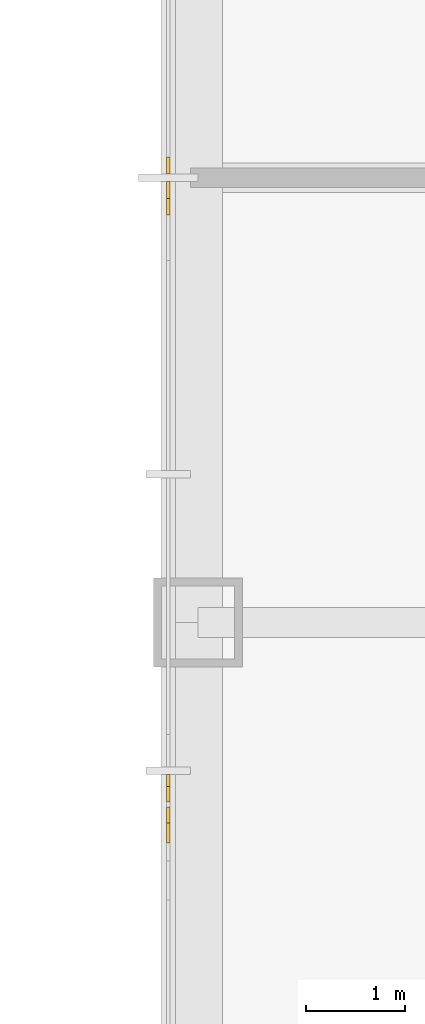
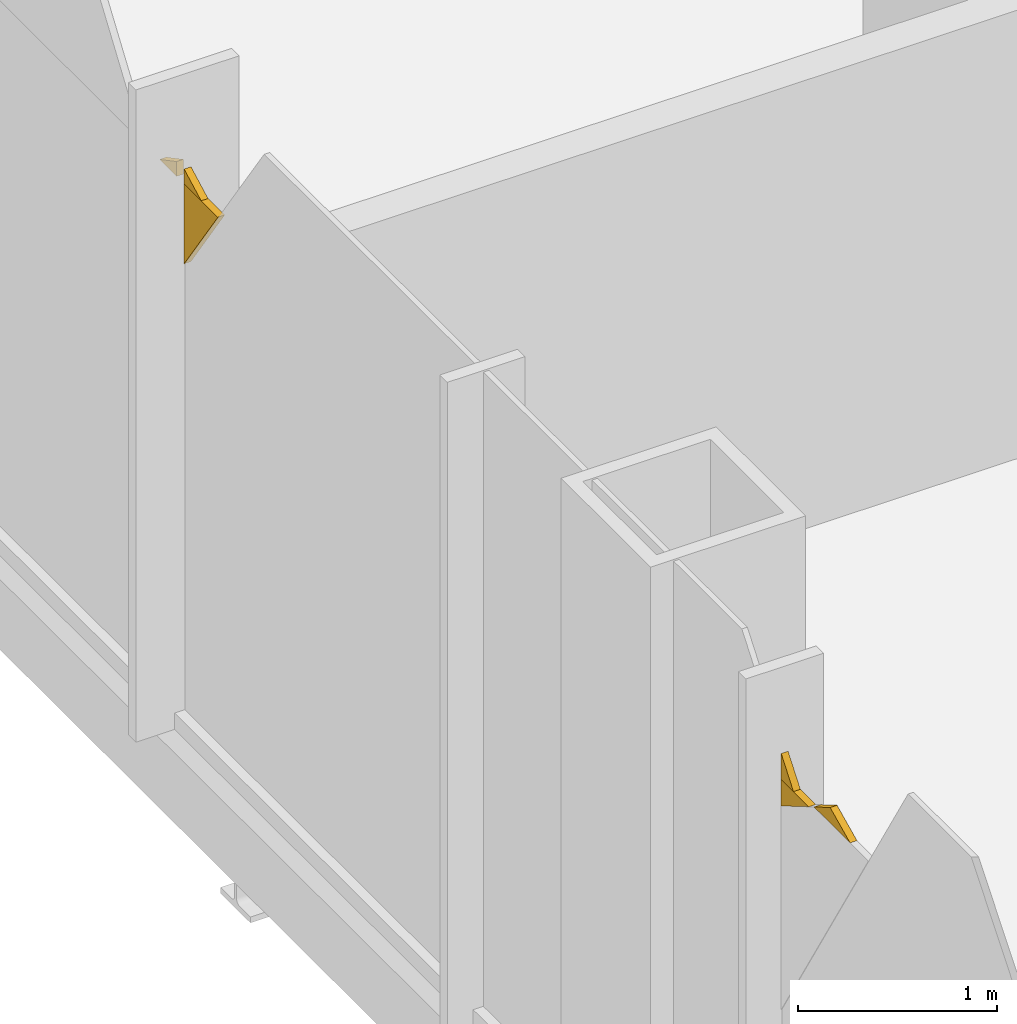
# One storey, part 17 of 23: 6 coverings.
"""IFC4 building model written with IfcOpenShell, lengths in metres."""

from ifc_helpers import new_model, si_unit, direction, frame, origin, place, context, subcontext, project, spatial, polyline, outline, extrude, material, layer, layer_set, type_object, element, save


model = new_model("IFC4")

# Units and contexts
model_context = context("Model", 3, precision=1e-05, world=origin(), true_north=direction((0.0, 1.0)))
body_context = subcontext(model_context, "Body", "Model", "MODEL_VIEW")
ifc_project = project(units=[si_unit("LENGTHUNIT", "METRE"), si_unit("AREAUNIT", "SQUARE_METRE"), si_unit("VOLUMEUNIT", "CUBIC_METRE"), si_unit("PLANEANGLEUNIT", "RADIAN"), si_unit("MASSUNIT", "GRAM", prefix="KILO")], contexts=[model_context])

# Site, building, storey
site_placement = place(None, origin())
site = spatial("IfcSite", under=ifc_project, at=site_placement, CompositionType="ELEMENT")
building_placement = place(site_placement, origin())
building = spatial("IfcBuilding", under=site, at=building_placement, Name="Malebo Sky Hospital", CompositionType="ELEMENT")
storey_placement = place(building_placement, frame((0.0, 0.0, 91.0)))
storey = spatial("IfcBuildingStorey", under=building, at=storey_placement, Name="L21", CompositionType="ELEMENT", Elevation=91.0)

# Coverings
ifc_material = material(Name="Anodised aluminium, natural silver insulated infill panel", Category="aluminium")
ifc_layer = layer(ifc_material, 0.0400390625)
ifc_layer_set = layer_set([ifc_layer], Name="BRACE INFILL PANEL 40")
covering_type = type_object("IfcCoveringType", Name="BRACE INFILL PANEL 40", PredefinedType="CLADDING", material=ifc_layer_set)
covering_1_placement = place(storey_placement, frame((34.5, 55.82421875, 3.149658203125), z_axis=(0.0, 0.0, 1.0), x_axis=(0.0, 1.0, 0.0)))
element("IfcCovering", 1, at=covering_1_placement, inside=storey, type_object=covering_type, Name="Brace infill panel 5.2", PredefinedType="CLADDING", context=body_context, shape_type="SweptSolid", body=[
    extrude(outline(polyline([(0.138427734375, 0.0), (0.138427734375, 0.16259765625), (-0.138427734375, 0.16259765625), (0.138427734375, 0.0)])), frame((0.0, 0.02001953125, 0.0), z_axis=(0.0, -1.0, 0.0), x_axis=(1.0, 0.0, 0.0)), (0.0, 0.0, 1.0), 0.0400390625),
])
covering_2_placement = place(storey_placement, frame((34.5, 55.90087890625, 3.312255859375), z_axis=(0.0, 0.0, 1.0), x_axis=(0.0, 1.0, 0.0)))
element("IfcCovering", 2, at=covering_2_placement, inside=storey, type_object=covering_type, Name="Brace infill panel 5.3", PredefinedType="CLADDING", context=body_context, shape_type="SweptSolid", body=[
    extrude(outline(polyline([(-0.0615234375, 0.0), (0.0615234375, 0.0), (0.0615234375, 0.15869140625), (-0.0615234375, 0.0)])), frame((0.0, 0.02001953125, 0.0), z_axis=(0.0, -1.0, 0.0), x_axis=(1.0, 0.0, 0.0)), (0.0, 0.0, 1.0), 0.0400390625),
])
covering_3_placement = place(storey_placement, frame((34.5, 55.4521484375, 3.3427734375), z_axis=(0.0, 0.0, 1.0), x_axis=(0.0, 1.0, 0.0)))
element("IfcCovering", 3, at=covering_3_placement, inside=storey, type_object=covering_type, Name="Brace infill panel 5.4", PredefinedType="CLADDING", context=body_context, shape_type="SweptSolid", body=[
    extrude(outline(polyline([(-0.181396484375, 0.0), (0.181396484375, 0.0), (0.019287109375, 0.09521484375), (-0.181396484375, 0.0)])), frame((0.0, 0.02001953125, 0.0), z_axis=(0.0, -1.0, 0.0), x_axis=(1.0, 0.0, 0.0)), (0.0, 0.0, 1.0), 0.0400390625),
])
covering_4_placement = place(storey_placement, frame((34.5, 61.79296875, 2.8359375), z_axis=(0.0, 0.0, 1.0), x_axis=(0.0, 1.0, 0.0)))
element("IfcCovering", 4, at=covering_4_placement, inside=storey, type_object=covering_type, Name="Brace infill panel 7.1", PredefinedType="CLADDING", context=body_context, shape_type="SweptSolid", body=[
    extrude(outline(polyline([(0.169677734375, 0.0), (0.169677734375, 0.490966796875), (-0.169677734375, 0.490966796875), (0.169677734375, 0.0)])), frame((0.0, 0.02001953125, 0.0), z_axis=(0.0, -1.0, 0.0), x_axis=(1.0, 0.0, 0.0)), (0.0, 0.0, 1.0), 0.0400390625),
])
covering_5_placement = place(storey_placement, frame((34.5, 61.87646484375, 3.32666015625), z_axis=(0.0, 0.0, 1.0), x_axis=(0.0, 1.0, 0.0)))
element("IfcCovering", 5, at=covering_5_placement, inside=storey, type_object=covering_type, Name="Brace infill panel 7.2", PredefinedType="CLADDING", context=body_context, shape_type="SweptSolid", body=[
    extrude(outline(polyline([(-0.0859375, 0.0), (0.0859375, 0.0), (0.0859375, 0.091064453125), (-0.0859375, 0.0)])), frame((0.0, 0.02001953125, 0.0), z_axis=(0.0, -1.0, 0.0), x_axis=(1.0, 0.0, 0.0)), (0.0, 0.0, 1.0), 0.0400390625),
])
covering_6_placement = place(storey_placement, frame((34.5, 62.12353515625, 3.32666015625), z_axis=(0.0, 0.0, 1.0), x_axis=(0.0, 1.0, 0.0)))
element("IfcCovering", 6, at=covering_6_placement, inside=storey, type_object=covering_type, Name="Brace infill panel 8.2", PredefinedType="CLADDING", context=body_context, shape_type="SweptSolid", body=[
    extrude(outline(polyline([(-0.0859375, 0.0), (0.0859375, 0.0), (-0.0859375, 0.091064453125), (-0.0859375, 0.0)])), frame((0.0, 0.02001953125, 0.0), z_axis=(0.0, -1.0, 0.0), x_axis=(1.0, 0.0, 0.0)), (0.0, 0.0, 1.0), 0.0400390625),
])

save(model, "model.ifc")
